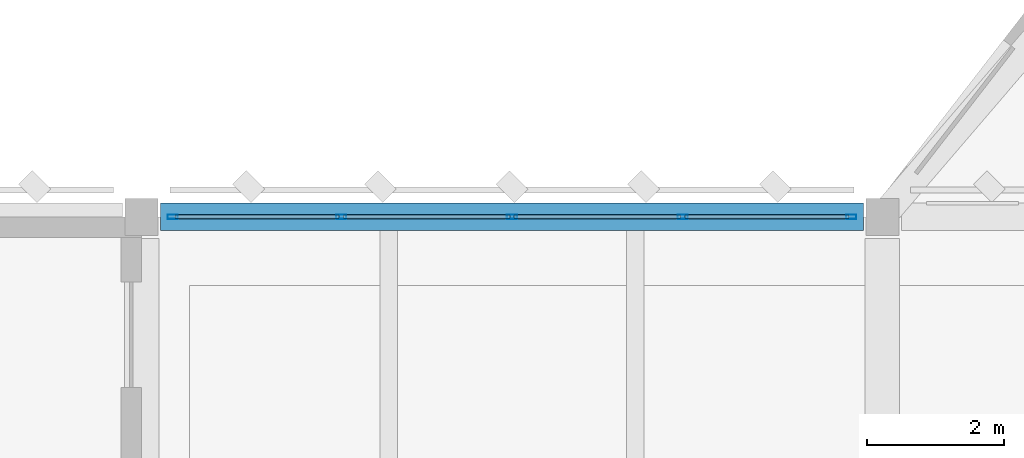
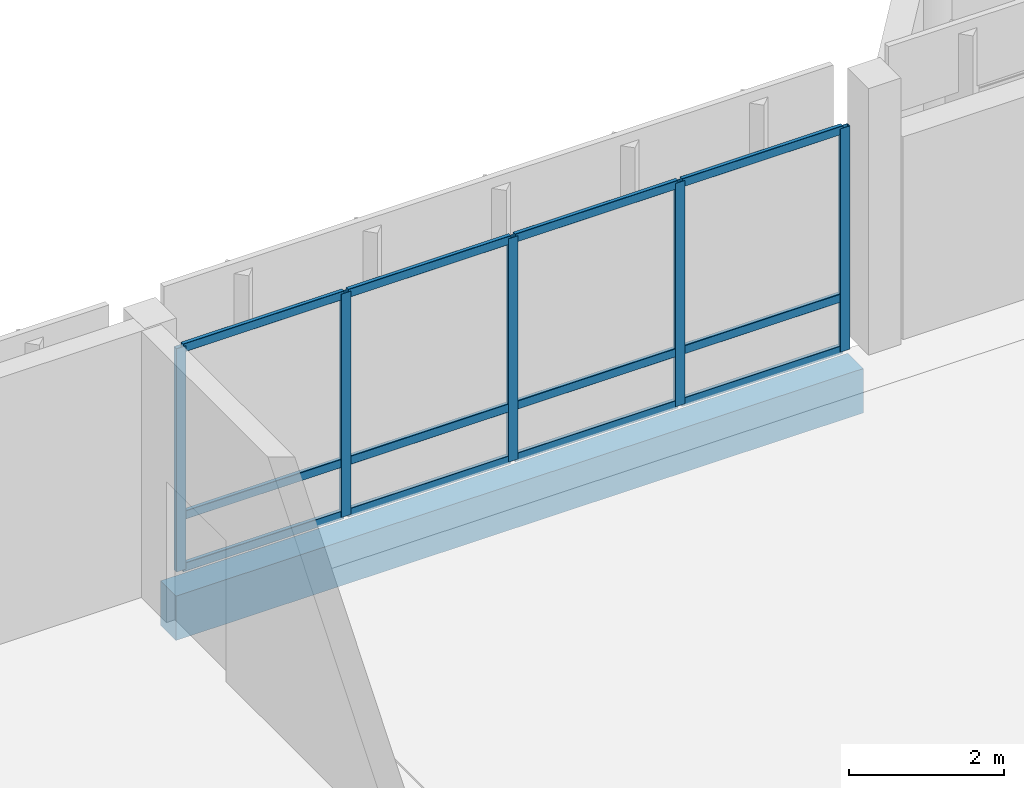
# One storey, part 22 of 72: 17 members, 1 beam, 1 element without a shape of its own.
"""IFC4 building model written with IfcOpenShell, lengths in metres."""

from ifc_helpers import new_model, si_unit, direction, frame, origin, origin_2d, place, context, subcontext, project, spatial, rectangle, hollow_rectangle, extrude, material, material_profile, profile_set, type_object, element, aggregate, save


model = new_model("IFC4")

# Units and contexts
model_context = context("Model", 3, precision=1e-05, world=origin(), true_north=direction((0.0, 1.0)))
body_context = subcontext(model_context, "Body", "Model", "MODEL_VIEW")
ifc_project = project(units=[si_unit("LENGTHUNIT", "METRE"), si_unit("AREAUNIT", "SQUARE_METRE"), si_unit("VOLUMEUNIT", "CUBIC_METRE"), si_unit("PLANEANGLEUNIT", "RADIAN"), si_unit("MASSUNIT", "GRAM", prefix="KILO")], contexts=[model_context])

# Site, building, storey
site_placement = place(None, origin())
site = spatial("IfcSite", under=ifc_project, at=site_placement, CompositionType="ELEMENT")
building_placement = place(site_placement, origin())
building = spatial("IfcBuilding", under=site, at=building_placement, Name="Lusvemor Sports Hall", CompositionType="ELEMENT")
storey_placement = place(building_placement, frame((0.0, 0.0, 15.0)))
storey = spatial("IfcBuildingStorey", under=building, at=storey_placement, Name="L03", CompositionType="ELEMENT", Elevation=15.0)

# Curtain wall, members
ifc_material_1 = material(Name="Thermally broken bronze-anodized aluminium", Category="aluminium")
curtain_wall_type = type_object("IfcCurtainWallType", Name="CW_WING_B", PredefinedType="NOTDEFINED", material=ifc_material_1)
curtain_wall_placement = place(storey_placement, origin())
curtain_wall = element("IfcCurtainWall", 1, at=curtain_wall_placement, inside=storey, type_object=curtain_wall_type, Name="Curtain Wall CW-L03-N-1-1", PredefinedType="NOTDEFINED")
ifc_material_2 = material(Name="Thermally broken bronze-anodized aluminium", Category="aluminium")
ifc_material_profile_1 = material_profile(ifc_material_2, hollow_rectangle(XDim=0.06494140625, YDim=0.14990234375, WallThickness=0.00390625, InnerFilletRadius=0.00390625, OuterFilletRadius=0.008056640625, at=origin_2d()), Name="CWMUL150x65x4")
ifc_profile_set_1 = profile_set([ifc_material_profile_1], Name="Thermally broken bronze-anodized aluminium")
member_type_1 = type_object("IfcMemberType", Name="CW_MUL_B", PredefinedType="MULLION", material=ifc_profile_set_1)
member_1_placement = place(storey_placement, frame((11.25244140625, 115.199951171875, 0.0), z_axis=(0.0, 0.0, 1.0), x_axis=(0.0, 1.0, 0.0)))
member_1 = element("IfcMember", 2, at=member_1_placement, type_object=member_type_1, Name="CW02 mullion 1", PredefinedType="MULLION", context=body_context, shape_type="SweptSolid", body=[
    extrude(hollow_rectangle(XDim=0.06494140625, YDim=0.14990234375, WallThickness=0.00390625, InnerFilletRadius=0.00390625, OuterFilletRadius=0.008056640625, at=origin_2d()), origin(), (0.0, 0.0, 1.0), 3.52001953125),
])
member_2_placement = place(storey_placement, frame((13.7099609375, 115.199951171875, 0.0), z_axis=(0.0, 0.0, 1.0), x_axis=(0.0, 1.0, 0.0)))
member_2 = element("IfcMember", 3, at=member_2_placement, type_object=member_type_1, Name="CW02 mullion 2", PredefinedType="MULLION", context=body_context, shape_type="SweptSolid", body=[
    extrude(hollow_rectangle(XDim=0.06494140625, YDim=0.14990234375, WallThickness=0.00390625, InnerFilletRadius=0.00390625, OuterFilletRadius=0.008056640625, at=origin_2d()), origin(), (0.0, 0.0, 1.0), 3.52001953125),
])
member_3_placement = place(storey_placement, frame((16.199951171875, 115.199951171875, 0.0), z_axis=(0.0, 0.0, 1.0), x_axis=(0.0, 1.0, 0.0)))
member_3 = element("IfcMember", 4, at=member_3_placement, type_object=member_type_1, Name="CW02 mullion 3", PredefinedType="MULLION", context=body_context, shape_type="SweptSolid", body=[
    extrude(hollow_rectangle(XDim=0.06494140625, YDim=0.14990234375, WallThickness=0.00390625, InnerFilletRadius=0.00390625, OuterFilletRadius=0.008056640625, at=origin_2d()), origin(), (0.0, 0.0, 1.0), 3.52001953125),
])
member_4_placement = place(storey_placement, frame((18.68994140625, 115.199951171875, 0.0), z_axis=(0.0, 0.0, 1.0), x_axis=(0.0, 1.0, 0.0)))
member_4 = element("IfcMember", 5, at=member_4_placement, type_object=member_type_1, Name="CW02 mullion 4", PredefinedType="MULLION", context=body_context, shape_type="SweptSolid", body=[
    extrude(hollow_rectangle(XDim=0.06494140625, YDim=0.14990234375, WallThickness=0.00390625, InnerFilletRadius=0.00390625, OuterFilletRadius=0.008056640625, at=origin_2d()), origin(), (0.0, 0.0, 1.0), 3.52001953125),
])
member_5_placement = place(storey_placement, frame((21.1474609375, 115.199951171875, 0.0), z_axis=(0.0, 0.0, 1.0), x_axis=(0.0, 1.0, 0.0)))
member_5 = element("IfcMember", 6, at=member_5_placement, type_object=member_type_1, Name="CW02 mullion 5", PredefinedType="MULLION", context=body_context, shape_type="SweptSolid", body=[
    extrude(hollow_rectangle(XDim=0.06494140625, YDim=0.14990234375, WallThickness=0.00390625, InnerFilletRadius=0.00390625, OuterFilletRadius=0.008056640625, at=origin_2d()), origin(), (0.0, 0.0, 1.0), 3.52001953125),
])
ifc_material_3 = material(Name="Thermally broken bronze-anodized aluminium", Category="aluminium")
ifc_material_profile_2 = material_profile(ifc_material_3, hollow_rectangle(XDim=0.06005859375, YDim=0.135009765625, WallThickness=0.00390625, InnerFilletRadius=0.00390625, OuterFilletRadius=0.008056640625, at=origin_2d()), Name="CWTRN135x60x4")
ifc_profile_set_2 = profile_set([ifc_material_profile_2], Name="Thermally broken bronze-anodized aluminium")
member_type_2 = type_object("IfcMemberType", Name="CW_TRN_B", PredefinedType="USERDEFINED", material=ifc_profile_set_2)
member_6_placement = place(storey_placement, frame((11.284912109375, 115.199951171875, 0.030029296875), z_axis=(1.0, 0.0, 0.0), x_axis=(0.0, 1.0, 0.0)))
member_6 = element("IfcMember", 7, at=member_6_placement, type_object=member_type_2, Name="CW02 transom 1.1", ObjectType="TRANSOM", PredefinedType="USERDEFINED", context=body_context, shape_type="SweptSolid", body=[
    extrude(hollow_rectangle(XDim=0.06005859375, YDim=0.135009765625, WallThickness=0.00390625, InnerFilletRadius=0.00390625, OuterFilletRadius=0.008056640625, at=origin_2d()), origin(), (0.0, 0.0, 1.0), 2.392578125),
])
member_7_placement = place(storey_placement, frame((11.284912109375, 115.199951171875, 0.85009765625), z_axis=(1.0, 0.0, 0.0), x_axis=(0.0, 1.0, 0.0)))
member_7 = element("IfcMember", 8, at=member_7_placement, type_object=member_type_2, Name="CW02 transom 1.2", ObjectType="TRANSOM", PredefinedType="USERDEFINED", context=body_context, shape_type="SweptSolid", body=[
    extrude(hollow_rectangle(XDim=0.06005859375, YDim=0.135009765625, WallThickness=0.00390625, InnerFilletRadius=0.00390625, OuterFilletRadius=0.008056640625, at=origin_2d()), origin(), (0.0, 0.0, 1.0), 2.392578125),
])
member_8_placement = place(storey_placement, frame((11.284912109375, 115.199951171875, 3.489990234375), z_axis=(1.0, 0.0, 0.0), x_axis=(0.0, 1.0, 0.0)))
member_8 = element("IfcMember", 9, at=member_8_placement, type_object=member_type_2, Name="CW02 transom 1.3", ObjectType="TRANSOM", PredefinedType="USERDEFINED", context=body_context, shape_type="SweptSolid", body=[
    extrude(hollow_rectangle(XDim=0.06005859375, YDim=0.135009765625, WallThickness=0.00390625, InnerFilletRadius=0.00390625, OuterFilletRadius=0.008056640625, at=origin_2d()), origin(), (0.0, 0.0, 1.0), 2.392578125),
])
member_9_placement = place(storey_placement, frame((13.742431640625, 115.199951171875, 0.030029296875), z_axis=(1.0, 0.0, 0.0), x_axis=(0.0, 1.0, 0.0)))
member_9 = element("IfcMember", 10, at=member_9_placement, type_object=member_type_2, Name="CW02 transom 2.1", ObjectType="TRANSOM", PredefinedType="USERDEFINED", context=body_context, shape_type="SweptSolid", body=[
    extrude(hollow_rectangle(XDim=0.06005859375, YDim=0.135009765625, WallThickness=0.00390625, InnerFilletRadius=0.00390625, OuterFilletRadius=0.008056640625, at=origin_2d()), origin(), (0.0, 0.0, 1.0), 2.425048828125),
])
member_10_placement = place(storey_placement, frame((13.742431640625, 115.199951171875, 0.85009765625), z_axis=(1.0, 0.0, 0.0), x_axis=(0.0, 1.0, 0.0)))
member_10 = element("IfcMember", 11, at=member_10_placement, type_object=member_type_2, Name="CW02 transom 2.2", ObjectType="TRANSOM", PredefinedType="USERDEFINED", context=body_context, shape_type="SweptSolid", body=[
    extrude(hollow_rectangle(XDim=0.06005859375, YDim=0.135009765625, WallThickness=0.00390625, InnerFilletRadius=0.00390625, OuterFilletRadius=0.008056640625, at=origin_2d()), origin(), (0.0, 0.0, 1.0), 2.425048828125),
])
member_11_placement = place(storey_placement, frame((13.742431640625, 115.199951171875, 3.489990234375), z_axis=(1.0, 0.0, 0.0), x_axis=(0.0, 1.0, 0.0)))
member_11 = element("IfcMember", 12, at=member_11_placement, type_object=member_type_2, Name="CW02 transom 2.3", ObjectType="TRANSOM", PredefinedType="USERDEFINED", context=body_context, shape_type="SweptSolid", body=[
    extrude(hollow_rectangle(XDim=0.06005859375, YDim=0.135009765625, WallThickness=0.00390625, InnerFilletRadius=0.00390625, OuterFilletRadius=0.008056640625, at=origin_2d()), origin(), (0.0, 0.0, 1.0), 2.425048828125),
])
member_12_placement = place(storey_placement, frame((16.232421875, 115.199951171875, 0.030029296875), z_axis=(1.0, 0.0, 0.0), x_axis=(0.0, 1.0, 0.0)))
member_12 = element("IfcMember", 13, at=member_12_placement, type_object=member_type_2, Name="CW02 transom 3.1", ObjectType="TRANSOM", PredefinedType="USERDEFINED", context=body_context, shape_type="SweptSolid", body=[
    extrude(hollow_rectangle(XDim=0.06005859375, YDim=0.135009765625, WallThickness=0.00390625, InnerFilletRadius=0.00390625, OuterFilletRadius=0.008056640625, at=origin_2d()), origin(), (0.0, 0.0, 1.0), 2.425048828125),
])
member_13_placement = place(storey_placement, frame((16.232421875, 115.199951171875, 0.85009765625), z_axis=(1.0, 0.0, 0.0), x_axis=(0.0, 1.0, 0.0)))
member_13 = element("IfcMember", 14, at=member_13_placement, type_object=member_type_2, Name="CW02 transom 3.2", ObjectType="TRANSOM", PredefinedType="USERDEFINED", context=body_context, shape_type="SweptSolid", body=[
    extrude(hollow_rectangle(XDim=0.06005859375, YDim=0.135009765625, WallThickness=0.00390625, InnerFilletRadius=0.00390625, OuterFilletRadius=0.008056640625, at=origin_2d()), origin(), (0.0, 0.0, 1.0), 2.425048828125),
])
member_14_placement = place(storey_placement, frame((16.232421875, 115.199951171875, 3.489990234375), z_axis=(1.0, 0.0, 0.0), x_axis=(0.0, 1.0, 0.0)))
member_14 = element("IfcMember", 15, at=member_14_placement, type_object=member_type_2, Name="CW02 transom 3.3", ObjectType="TRANSOM", PredefinedType="USERDEFINED", context=body_context, shape_type="SweptSolid", body=[
    extrude(hollow_rectangle(XDim=0.06005859375, YDim=0.135009765625, WallThickness=0.00390625, InnerFilletRadius=0.00390625, OuterFilletRadius=0.008056640625, at=origin_2d()), origin(), (0.0, 0.0, 1.0), 2.425048828125),
])
member_15_placement = place(storey_placement, frame((18.722412109375, 115.199951171875, 0.030029296875), z_axis=(1.0, 0.0, 0.0), x_axis=(0.0, 1.0, 0.0)))
member_15 = element("IfcMember", 16, at=member_15_placement, type_object=member_type_2, Name="CW02 transom 4.1", ObjectType="TRANSOM", PredefinedType="USERDEFINED", context=body_context, shape_type="SweptSolid", body=[
    extrude(hollow_rectangle(XDim=0.06005859375, YDim=0.135009765625, WallThickness=0.00390625, InnerFilletRadius=0.00390625, OuterFilletRadius=0.008056640625, at=origin_2d()), origin(), (0.0, 0.0, 1.0), 2.392578125),
])
member_16_placement = place(storey_placement, frame((18.722412109375, 115.199951171875, 0.85009765625), z_axis=(1.0, 0.0, 0.0), x_axis=(0.0, 1.0, 0.0)))
member_16 = element("IfcMember", 17, at=member_16_placement, type_object=member_type_2, Name="CW02 transom 4.2", ObjectType="TRANSOM", PredefinedType="USERDEFINED", context=body_context, shape_type="SweptSolid", body=[
    extrude(hollow_rectangle(XDim=0.06005859375, YDim=0.135009765625, WallThickness=0.00390625, InnerFilletRadius=0.00390625, OuterFilletRadius=0.008056640625, at=origin_2d()), origin(), (0.0, 0.0, 1.0), 2.392578125),
])
member_17_placement = place(storey_placement, frame((18.722412109375, 115.199951171875, 3.489990234375), z_axis=(1.0, 0.0, 0.0), x_axis=(0.0, 1.0, 0.0)))
member_17 = element("IfcMember", 18, at=member_17_placement, type_object=member_type_2, Name="CW02 transom 4.3", ObjectType="TRANSOM", PredefinedType="USERDEFINED", context=body_context, shape_type="SweptSolid", body=[
    extrude(hollow_rectangle(XDim=0.06005859375, YDim=0.135009765625, WallThickness=0.00390625, InnerFilletRadius=0.00390625, OuterFilletRadius=0.008056640625, at=origin_2d()), origin(), (0.0, 0.0, 1.0), 2.392578125),
])
aggregate(curtain_wall, [member_1, member_2, member_3, member_4, member_5, member_6, member_7, member_8, member_9, member_10, member_11, member_12, member_13, member_14, member_15, member_16, member_17])

# Beam
ifc_material_4 = material(Name="Concrete C40/50", Category="concrete")
ifc_material_profile_3 = material_profile(ifc_material_4, rectangle(XDim=0.39990234375, YDim=0.699951171875, at=origin_2d()), Name="RC400x700")
ifc_profile_set_3 = profile_set([ifc_material_profile_3], Name="Concrete C40/50")
beam_type = type_object("IfcBeamType", Name="SPAND_EXT_700", PredefinedType="SPANDREL", material=ifc_profile_set_3)
beam_placement = place(storey_placement, frame((11.075927734375, 115.199951171875, -0.590087890625), z_axis=(1.0, 0.0, 0.0), x_axis=(0.0, 1.0, 0.0)))
element("IfcBeam", 19, at=beam_placement, inside=storey, type_object=beam_type, Name="Beam L03 Q:2-3", PredefinedType="SPANDREL", context=body_context, shape_type="SweptSolid", body=[
    extrude(rectangle(XDim=0.39990234375, YDim=0.699951171875, at=origin_2d()), origin(), (0.0, 0.0, 1.0), 10.248046875),
])

save(model, "model.ifc")
